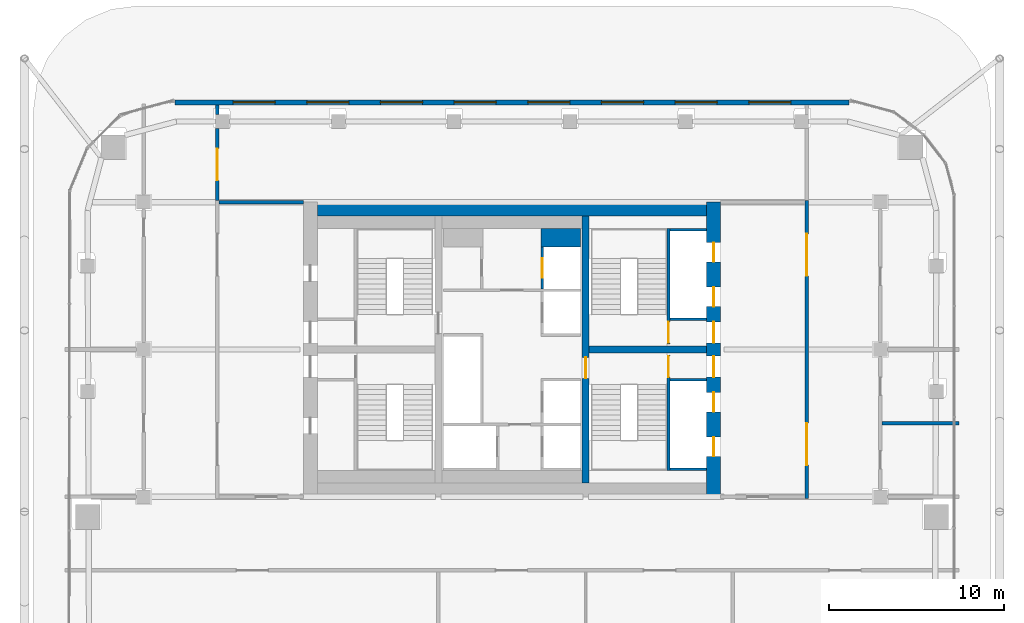
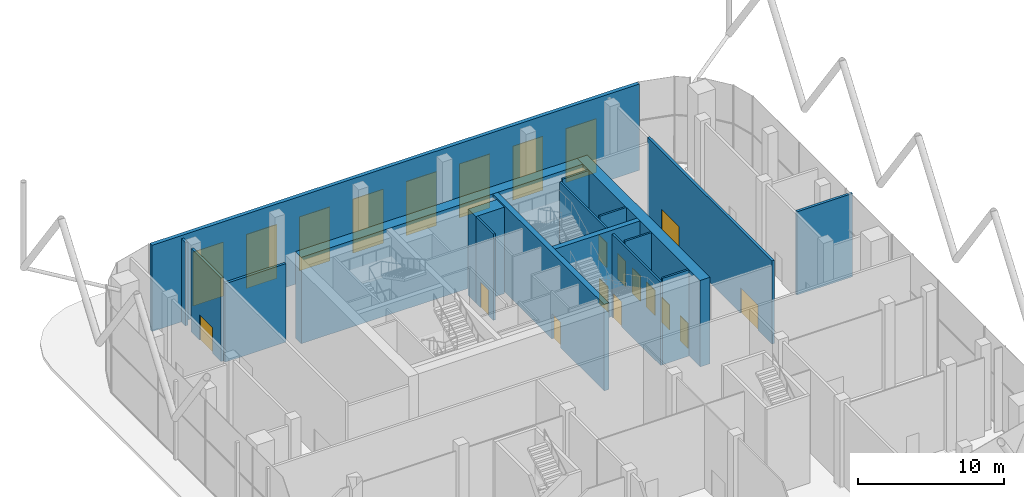
# One storey, part 21 of 25: 18 walls, 13 doors, 8 windows, 21 openings.
"""IFC4 building model written with IfcOpenShell, lengths in metres."""

from ifc_helpers import new_model, si_unit, direction, frame, frame_2d, origin, place, context, subcontext, project, spatial, rectangle, extrude, material, layer, layer_set, type_object, element, fill, save


model = new_model("IFC4")

# Units and contexts
model_context = context("Model", 3, precision=1e-05, world=origin(), true_north=direction((0.0, 1.0)))
body_context = subcontext(model_context, "Body", "Model", "MODEL_VIEW")
ifc_project = project(units=[si_unit("LENGTHUNIT", "METRE"), si_unit("AREAUNIT", "SQUARE_METRE"), si_unit("VOLUMEUNIT", "CUBIC_METRE"), si_unit("PLANEANGLEUNIT", "RADIAN"), si_unit("MASSUNIT", "GRAM", prefix="KILO")], contexts=[model_context])

# Site, building, storey
site_placement = place(None, origin())
site = spatial("IfcSite", under=ifc_project, at=site_placement, CompositionType="ELEMENT")
building_placement = place(site_placement, origin())
building = spatial("IfcBuilding", under=site, at=building_placement, Name="Marenta Gate Hotel Tower", CompositionType="ELEMENT")
storey_placement = place(building_placement, frame((0.0, 0.0, 180.5)))
storey = spatial("IfcBuildingStorey", under=building, at=storey_placement, Name="L41", CompositionType="ELEMENT", Elevation=180.5)

# Wall, openings, windows
ifc_material_1 = material(Name="Concrete C40 board-marked", Category="concrete")
ifc_layer_1 = layer(ifc_material_1, 0.300048828125)
ifc_layer_set_1 = layer_set([ifc_layer_1], Name="Concrete C40 board-marked")
wall_type_1 = type_object("IfcWallType", Name="Board-marked concrete wall 300 mm", PredefinedType="NOTDEFINED", material=ifc_layer_set_1)
wall_1_placement = place(storey_placement, frame((19.205810546875, 22.489990234375, 0.0), z_axis=(0.0, 0.0, 1.0), x_axis=(-1.0, 0.0, 0.0)))
wall_1 = element("IfcWall", 1, at=wall_1_placement, inside=storey, type_object=wall_type_1, Name="L41-CLD-N00", PredefinedType="NOTDEFINED", context=body_context, shape_type="SweptSolid", body=[
    extrude(rectangle(XDim=38.41162109375, YDim=0.300048828125, at=frame_2d((19.205810546875, 0.0))), origin(), (0.0, 0.0, 1.0), 7.199951171875),
])
opening_1_placement = place(wall_1_placement, frame((3.305908203125, 0.0, 0.89990234375)))
opening_1 = element("IfcOpeningElement", 2, at=opening_1_placement, cuts=wall_1, Name="Opening W4", PredefinedType="OPENING", context=body_context, shape_type="SweptSolid", body=[
    extrude(rectangle(XDim=2.39990234375, YDim=4.5, at=frame_2d((1.199951171875, 2.25))), frame((0.0, 0.14990234375, 0.0), z_axis=(0.0, -1.0, 0.0), x_axis=(1.0, 0.0, 0.0)), (0.0, 0.0, 1.0), 0.300048828125),
])
opening_2_placement = place(wall_1_placement, frame((7.505859375, 0.0, 0.89990234375)))
opening_2 = element("IfcOpeningElement", 3, at=opening_2_placement, cuts=wall_1, Name="Opening W4", PredefinedType="OPENING", context=body_context, shape_type="SweptSolid", body=[
    extrude(rectangle(XDim=2.39990234375, YDim=4.5, at=frame_2d((1.199951171875, 2.25))), frame((0.0, 0.14990234375, 0.0), z_axis=(0.0, -1.0, 0.0), x_axis=(1.0, 0.0, 0.0)), (0.0, 0.0, 1.0), 0.300048828125),
])
opening_3_placement = place(wall_1_placement, frame((11.705810546875, 0.0, 0.89990234375)))
opening_3 = element("IfcOpeningElement", 4, at=opening_3_placement, cuts=wall_1, Name="Opening W4", PredefinedType="OPENING", context=body_context, shape_type="SweptSolid", body=[
    extrude(rectangle(XDim=2.39990234375, YDim=4.5, at=frame_2d((1.199951171875, 2.25))), frame((0.0, 0.14990234375, 0.0), z_axis=(0.0, -1.0, 0.0), x_axis=(1.0, 0.0, 0.0)), (0.0, 0.0, 1.0), 0.300048828125),
])
opening_4_placement = place(wall_1_placement, frame((15.906005859375, 0.0, 0.89990234375)))
opening_4 = element("IfcOpeningElement", 5, at=opening_4_placement, cuts=wall_1, Name="Opening W4", PredefinedType="OPENING", context=body_context, shape_type="SweptSolid", body=[
    extrude(rectangle(XDim=2.39990234375, YDim=4.5, at=frame_2d((1.199951171875, 2.25))), frame((0.0, 0.14990234375, 0.0), z_axis=(0.0, -1.0, 0.0), x_axis=(1.0, 0.0, 0.0)), (0.0, 0.0, 1.0), 0.300048828125),
])
opening_5_placement = place(wall_1_placement, frame((20.10595703125, 0.0, 0.89990234375)))
opening_5 = element("IfcOpeningElement", 6, at=opening_5_placement, cuts=wall_1, Name="Opening W4", PredefinedType="OPENING", context=body_context, shape_type="SweptSolid", body=[
    extrude(rectangle(XDim=2.39990234375, YDim=4.5, at=frame_2d((1.199951171875, 2.25))), frame((0.0, 0.14990234375, 0.0), z_axis=(0.0, -1.0, 0.0), x_axis=(1.0, 0.0, 0.0)), (0.0, 0.0, 1.0), 0.300048828125),
])
opening_6_placement = place(wall_1_placement, frame((24.305908203125, 0.0, 0.89990234375)))
opening_6 = element("IfcOpeningElement", 7, at=opening_6_placement, cuts=wall_1, Name="Opening W4", PredefinedType="OPENING", context=body_context, shape_type="SweptSolid", body=[
    extrude(rectangle(XDim=2.39990234375, YDim=4.5, at=frame_2d((1.199951171875, 2.25))), frame((0.0, 0.14990234375, 0.0), z_axis=(0.0, -1.0, 0.0), x_axis=(1.0, 0.0, 0.0)), (0.0, 0.0, 1.0), 0.300048828125),
])
opening_7_placement = place(wall_1_placement, frame((28.505859375, 0.0, 0.89990234375)))
opening_7 = element("IfcOpeningElement", 8, at=opening_7_placement, cuts=wall_1, Name="Opening W4", PredefinedType="OPENING", context=body_context, shape_type="SweptSolid", body=[
    extrude(rectangle(XDim=2.39990234375, YDim=4.5, at=frame_2d((1.199951171875, 2.25))), frame((0.0, 0.14990234375, 0.0), z_axis=(0.0, -1.0, 0.0), x_axis=(1.0, 0.0, 0.0)), (0.0, 0.0, 1.0), 0.300048828125),
])
opening_8_placement = place(wall_1_placement, frame((32.705810546875, 0.0, 0.89990234375)))
opening_8 = element("IfcOpeningElement", 9, at=opening_8_placement, cuts=wall_1, Name="Opening W4", PredefinedType="OPENING", context=body_context, shape_type="SweptSolid", body=[
    extrude(rectangle(XDim=2.39990234375, YDim=4.5, at=frame_2d((1.199951171875, 2.25))), frame((0.0, 0.14990234375, 0.0), z_axis=(0.0, -1.0, 0.0), x_axis=(1.0, 0.0, 0.0)), (0.0, 0.0, 1.0), 0.300048828125),
])
ifc_material_2 = material(Name="Tinted insulated glass in bronze anodised frame", Category="glass")
window_type = type_object("IfcWindowType", Name="Window W4 2400x4500 bronze frame", PartitioningType="SINGLE_PANEL", PredefinedType="WINDOW", material=ifc_material_2)
window_1_placement = place(opening_1_placement, origin())
window_1 = element("IfcWindow", 10, at=window_1_placement, inside=storey, type_object=window_type, Name="Window W4", OverallHeight=4.5, OverallWidth=2.39990234375, PartitioningType="SINGLE_PANEL", PredefinedType="WINDOW", context=body_context, shape_type="SweptSolid", body=[
    extrude(rectangle(XDim=2.39990234375, YDim=4.5, at=frame_2d((1.199951171875, 2.25))), frame((0.0, 0.030029296875, 0.0), z_axis=(0.0, -1.0, 0.0), x_axis=(1.0, 0.0, 0.0)), (0.0, 0.0, 1.0), 0.06005859375),
])
fill(opening_1, window_1)
window_2_placement = place(opening_2_placement, origin())
window_2 = element("IfcWindow", 11, at=window_2_placement, inside=storey, type_object=window_type, Name="Window W4", OverallHeight=4.5, OverallWidth=2.39990234375, PartitioningType="SINGLE_PANEL", PredefinedType="WINDOW", context=body_context, shape_type="SweptSolid", body=[
    extrude(rectangle(XDim=2.39990234375, YDim=4.5, at=frame_2d((1.199951171875, 2.25))), frame((0.0, 0.030029296875, 0.0), z_axis=(0.0, -1.0, 0.0), x_axis=(1.0, 0.0, 0.0)), (0.0, 0.0, 1.0), 0.06005859375),
])
fill(opening_2, window_2)
window_3_placement = place(opening_3_placement, origin())
window_3 = element("IfcWindow", 12, at=window_3_placement, inside=storey, type_object=window_type, Name="Window W4", OverallHeight=4.5, OverallWidth=2.39990234375, PartitioningType="SINGLE_PANEL", PredefinedType="WINDOW", context=body_context, shape_type="SweptSolid", body=[
    extrude(rectangle(XDim=2.39990234375, YDim=4.5, at=frame_2d((1.199951171875, 2.25))), frame((0.0, 0.030029296875, 0.0), z_axis=(0.0, -1.0, 0.0), x_axis=(1.0, 0.0, 0.0)), (0.0, 0.0, 1.0), 0.06005859375),
])
fill(opening_3, window_3)
window_4_placement = place(opening_4_placement, origin())
window_4 = element("IfcWindow", 13, at=window_4_placement, inside=storey, type_object=window_type, Name="Window W4", OverallHeight=4.5, OverallWidth=2.39990234375, PartitioningType="SINGLE_PANEL", PredefinedType="WINDOW", context=body_context, shape_type="SweptSolid", body=[
    extrude(rectangle(XDim=2.39990234375, YDim=4.5, at=frame_2d((1.199951171875, 2.25))), frame((0.0, 0.030029296875, 0.0), z_axis=(0.0, -1.0, 0.0), x_axis=(1.0, 0.0, 0.0)), (0.0, 0.0, 1.0), 0.06005859375),
])
fill(opening_4, window_4)
window_5_placement = place(opening_5_placement, origin())
window_5 = element("IfcWindow", 14, at=window_5_placement, inside=storey, type_object=window_type, Name="Window W4", OverallHeight=4.5, OverallWidth=2.39990234375, PartitioningType="SINGLE_PANEL", PredefinedType="WINDOW", context=body_context, shape_type="SweptSolid", body=[
    extrude(rectangle(XDim=2.39990234375, YDim=4.5, at=frame_2d((1.199951171875, 2.25))), frame((0.0, 0.030029296875, 0.0), z_axis=(0.0, -1.0, 0.0), x_axis=(1.0, 0.0, 0.0)), (0.0, 0.0, 1.0), 0.06005859375),
])
fill(opening_5, window_5)
window_6_placement = place(opening_6_placement, origin())
window_6 = element("IfcWindow", 15, at=window_6_placement, inside=storey, type_object=window_type, Name="Window W4", OverallHeight=4.5, OverallWidth=2.39990234375, PartitioningType="SINGLE_PANEL", PredefinedType="WINDOW", context=body_context, shape_type="SweptSolid", body=[
    extrude(rectangle(XDim=2.39990234375, YDim=4.5, at=frame_2d((1.199951171875, 2.25))), frame((0.0, 0.030029296875, 0.0), z_axis=(0.0, -1.0, 0.0), x_axis=(1.0, 0.0, 0.0)), (0.0, 0.0, 1.0), 0.06005859375),
])
fill(opening_6, window_6)
window_7_placement = place(opening_7_placement, origin())
window_7 = element("IfcWindow", 16, at=window_7_placement, inside=storey, type_object=window_type, Name="Window W4", OverallHeight=4.5, OverallWidth=2.39990234375, PartitioningType="SINGLE_PANEL", PredefinedType="WINDOW", context=body_context, shape_type="SweptSolid", body=[
    extrude(rectangle(XDim=2.39990234375, YDim=4.5, at=frame_2d((1.199951171875, 2.25))), frame((0.0, 0.030029296875, 0.0), z_axis=(0.0, -1.0, 0.0), x_axis=(1.0, 0.0, 0.0)), (0.0, 0.0, 1.0), 0.06005859375),
])
fill(opening_7, window_7)
window_8_placement = place(opening_8_placement, origin())
window_8 = element("IfcWindow", 17, at=window_8_placement, inside=storey, type_object=window_type, Name="Window W4", OverallHeight=4.5, OverallWidth=2.39990234375, PartitioningType="SINGLE_PANEL", PredefinedType="WINDOW", context=body_context, shape_type="SweptSolid", body=[
    extrude(rectangle(XDim=2.39990234375, YDim=4.5, at=frame_2d((1.199951171875, 2.25))), frame((0.0, 0.030029296875, 0.0), z_axis=(0.0, -1.0, 0.0), x_axis=(1.0, 0.0, 0.0)), (0.0, 0.0, 1.0), 0.06005859375),
])
fill(opening_8, window_8)

# Wall
ifc_material_3 = material(Name="Concrete blockwork", Category="masonry")
ifc_layer_2 = layer(ifc_material_3, 0.199951171875)
ifc_layer_set_2 = layer_set([ifc_layer_2], Name="Concrete blockwork")
wall_type_2 = type_object("IfcWallType", Name="Core boundary wall 200 REI 180", PredefinedType="PARTITIONING", material=ifc_layer_set_2)
wall_2_placement = place(storey_placement, frame((-16.699951171875, 16.800048828125, 0.0), z_axis=(0.0, 0.0, 1.0), x_axis=(1.0, 0.0, 0.0)))
element("IfcWall", 18, at=wall_2_placement, inside=storey, type_object=wall_type_2, Name="L41-CP-EW-WN", PredefinedType="PARTITIONING", context=body_context, shape_type="SweptSolid", body=[
    extrude(rectangle(XDim=4.800048828125, YDim=0.199951171875, at=frame_2d((2.39990234375, 0.0))), origin(), (0.0, 0.0, 1.0), 6.5400390625),
])

# Wall, openings, doors
wall_3_placement = place(storey_placement, frame((16.800048828125, -0.10009765625, 0.0), z_axis=(0.0, 0.0, 1.0), x_axis=(0.0, 1.0, 0.0)))
wall_3 = element("IfcWall", 19, at=wall_3_placement, inside=storey, type_object=wall_type_2, Name="L41-CP-BW-E", PredefinedType="PARTITIONING", context=body_context, shape_type="SweptSolid", body=[
    extrude(rectangle(XDim=17.0, YDim=0.199951171875, at=frame_2d((8.5, 0.0))), origin(), (0.0, 0.0, 1.0), 6.93994140625),
])
opening_9_placement = place(wall_3_placement, frame((1.89990234375, 0.0, 0.0)))
opening_9 = element("IfcOpeningElement", 20, at=opening_9_placement, cuts=wall_3, Name="Opening ED-Ea-A", PredefinedType="OPENING", context=body_context, shape_type="SweptSolid", body=[
    extrude(rectangle(XDim=2.39990234375, YDim=2.10009765625, at=frame_2d((1.199951171875, 1.050048828125))), frame((0.0, 0.10009765625, 0.0), z_axis=(0.0, -1.0, 0.0), x_axis=(1.0, 0.0, 0.0)), (0.0, 0.0, 1.0), 0.199951171875),
])
opening_10_placement = place(wall_3_placement, frame((12.699951171875, 0.0, 0.0)))
opening_10 = element("IfcOpeningElement", 21, at=opening_10_placement, cuts=wall_3, Name="Opening ED-Eb-A", PredefinedType="OPENING", context=body_context, shape_type="SweptSolid", body=[
    extrude(rectangle(XDim=2.39990234375, YDim=2.10009765625, at=frame_2d((1.199951171875, 1.050048828125))), frame((0.0, 0.10009765625, 0.0), z_axis=(0.0, -1.0, 0.0), x_axis=(1.0, 0.0, 0.0)), (0.0, 0.0, 1.0), 0.199951171875),
])
ifc_material_4 = material(Name="Steel", Category="steel")
door_type_1 = type_object("IfcDoorType", Name="Core lobby entrance door 2400x2100 EI 60", OperationType="DOUBLE_DOOR_SINGLE_SWING", PredefinedType="DOOR", material=ifc_material_4)
door_1_placement = place(opening_9_placement, origin())
door_1 = element("IfcDoor", 22, at=door_1_placement, inside=storey, type_object=door_type_1, Name="ED-Ea-A", OperationType="DOUBLE_DOOR_SINGLE_SWING", OverallHeight=2.10009765625, OverallWidth=2.39990234375, PredefinedType="DOOR", context=body_context, shape_type="SweptSolid", body=[
    extrude(rectangle(XDim=2.39990234375, YDim=2.10009765625, at=frame_2d((1.199951171875, 1.050048828125))), frame((0.0, 0.02490234375, 0.0), z_axis=(0.0, -1.0, 0.0), x_axis=(1.0, 0.0, 0.0)), (0.0, 0.0, 1.0), 0.050048828125),
])
fill(opening_9, door_1)
door_2_placement = place(opening_10_placement, origin())
door_2 = element("IfcDoor", 23, at=door_2_placement, inside=storey, type_object=door_type_1, Name="ED-Eb-A", OperationType="DOUBLE_DOOR_SINGLE_SWING", OverallHeight=2.10009765625, OverallWidth=2.39990234375, PredefinedType="DOOR", context=body_context, shape_type="SweptSolid", body=[
    extrude(rectangle(XDim=2.39990234375, YDim=2.10009765625, at=frame_2d((1.199951171875, 1.050048828125))), frame((0.0, 0.02490234375, 0.0), z_axis=(0.0, -1.0, 0.0), x_axis=(1.0, 0.0, 0.0)), (0.0, 0.0, 1.0), 0.050048828125),
])
fill(opening_10, door_2)

# Walls
ifc_material_5 = material(Name="Concrete C40", Category="concrete")
ifc_layer_3 = layer(ifc_material_5, 1.050048828125)
ifc_layer_set_3 = layer_set([ifc_layer_3], Name="Concrete C40")
wall_type_3 = type_object("IfcWallType", Name="Core shaft wall 1050 REI 180", PredefinedType="SHEAR", material=ifc_layer_set_3)
wall_4_placement = place(storey_placement, frame((1.64990234375, 14.77490234375, 0.0), z_axis=(0.0, 0.0, 1.0), x_axis=(1.0, 0.0, 0.0)))
element("IfcWall", 24, at=wall_4_placement, inside=storey, type_object=wall_type_3, Name="L41-SHF-CE-N-top", PredefinedType="SHEAR", context=body_context, shape_type="SweptSolid", body=[
    extrude(rectangle(XDim=2.25, YDim=1.050048828125, at=frame_2d((1.125, 0.0))), origin(), (0.0, 0.0, 1.0), 7.199951171875),
])
ifc_material_6 = material(Name="Concrete C40", Category="concrete")
ifc_layer_4 = layer(ifc_material_6, 0.14990234375)
ifc_layer_set_4 = layer_set([ifc_layer_4], Name="Concrete C40")
wall_type_4 = type_object("IfcWallType", Name="Core shaft wall 150 REI 180", PredefinedType="SHEAR", material=ifc_layer_set_4)
for number, where, z_axis, x_axis, name in (
    (25, (9.0, 6.675048828125, 0.0), (0.0, 0.0, 1.0), (1.0, 0.0, 0.0), "L41-SHF-SW-ES-2"),
    (26, (9.0, 1.574951171875, 0.0), (0.0, 0.0, 1.0), (1.0, 0.0, 0.0), "L41-SHF-SW-ES-5"),
    (27, (9.0, 10.125, 0.0), (0.0, 0.0, 1.0), (1.0, 0.0, 0.0), "L41-SHF-SW-EN-2"),
    (28, (9.0, 15.22509765625, 0.0), (0.0, 0.0, 1.0), (1.0, 0.0, 0.0), "L41-SHF-SW-EN-5"),
):
    element("IfcWall", number, at=place(storey_placement, frame(where, z_axis=z_axis, x_axis=x_axis)), inside=storey, type_object=wall_type_4, Name=name, PredefinedType="SHEAR", context=body_context, shape_type="SweptSolid", body=[
        extrude(rectangle(XDim=2.10009765625, YDim=0.14990234375, at=frame_2d((1.050048828125, 0.0))), origin(), (0.0, 0.0, 1.0), 7.199951171875),
    ])

# Wall, opening, door
wall_5_placement = place(storey_placement, frame((1.72509765625, 11.85009765625, 0.0), z_axis=(0.0, 0.0, 1.0), x_axis=(0.0, 1.0, 0.0)))
wall_5 = element("IfcWall", 29, at=wall_5_placement, inside=storey, type_object=wall_type_4, Name="L41-SHF-CE-N-front2", PredefinedType="SHEAR", context=body_context, shape_type="SweptSolid", body=[
    extrude(rectangle(XDim=2.39990234375, YDim=0.14990234375, at=frame_2d((1.199951171875, 0.0))), origin(), (0.0, 0.0, 1.0), 7.199951171875),
])
opening_11_placement = place(wall_5_placement, frame((0.64990234375, 0.0, 0.0)))
opening_11 = element("IfcOpeningElement", 30, at=opening_11_placement, cuts=wall_5, Name="Opening LD-FF2", PredefinedType="OPENING", context=body_context, shape_type="SweptSolid", body=[
    extrude(rectangle(XDim=1.10009765625, YDim=2.10009765625, at=frame_2d((0.550048828125, 1.050048828125))), frame((0.0, 0.074951171875, 0.0), z_axis=(0.0, -1.0, 0.0), x_axis=(1.0, 0.0, 0.0)), (0.0, 0.0, 1.0), 0.14990234375),
])
ifc_material_7 = material(Name="Steel", Category="steel")
door_type_2 = type_object("IfcDoorType", Name="Core lift landing door 1100x2100 E 60", OperationType="SLIDING_TO_LEFT", PredefinedType="DOOR", material=ifc_material_7)
door_3_placement = place(opening_11_placement, origin())
door_3 = element("IfcDoor", 31, at=door_3_placement, inside=storey, type_object=door_type_2, Name="LD-FF2", OperationType="SLIDING_TO_LEFT", OverallHeight=2.10009765625, OverallWidth=1.10009765625, PredefinedType="DOOR", context=body_context, shape_type="SweptSolid", body=[
    extrude(rectangle(XDim=1.10009765625, YDim=2.10009765625, at=frame_2d((0.550048828125, 1.050048828125))), frame((0.0, 0.02490234375, 0.0), z_axis=(0.0, -1.0, 0.0), x_axis=(1.0, 0.0, 0.0)), (0.0, 0.0, 1.0), 0.050048828125),
])
fill(opening_11, door_3)

ifc_material_8 = material(Name="Concrete C40", Category="concrete")
ifc_layer_5 = layer(ifc_material_8, 0.14990234375)
ifc_layer_set_5 = layer_set([ifc_layer_5], Name="Concrete C40")
wall_type_5 = type_object("IfcWallType", Name="Core stair enclosure wall 150 REI 180", PredefinedType="SHEAR", material=ifc_layer_set_5)
wall_6_placement = place(storey_placement, frame((8.925048828125, 1.5, 0.0), z_axis=(0.0, 0.0, 1.0), x_axis=(0.0, 1.0, 0.0)))
wall_6 = element("IfcWall", 32, at=wall_6_placement, inside=storey, type_object=wall_type_5, Name="L41-SHF-SW-ES-3", PredefinedType="SHEAR", context=body_context, shape_type="SweptSolid", body=[
    extrude(rectangle(XDim=6.60009765625, YDim=0.14990234375, at=frame_2d((3.300048828125, 0.0))), origin(), (0.0, 0.0, 1.0), 6.93994140625),
])
opening_12_placement = place(wall_6_placement, frame((5.324951171875, 0.0, 0.0)))
opening_12 = element("IfcOpeningElement", 33, at=opening_12_placement, cuts=wall_6, Name="Opening SD-ES", PredefinedType="OPENING", context=body_context, shape_type="SweptSolid", body=[
    extrude(rectangle(XDim=1.199951171875, YDim=2.10009765625, at=frame_2d((0.60009765625, 1.050048828125))), frame((0.0, 0.074951171875, 0.0), z_axis=(0.0, -1.0, 0.0), x_axis=(1.0, 0.0, 0.0)), (0.0, 0.0, 1.0), 0.14990234375),
])
ifc_material_9 = material(Name="Steel", Category="steel")
door_type_3 = type_object("IfcDoorType", Name="Core stair door 1200x2100 FD60", OperationType="SINGLE_SWING_LEFT", PredefinedType="DOOR", material=ifc_material_9)
door_4_placement = place(opening_12_placement, origin())
door_4 = element("IfcDoor", 34, at=door_4_placement, inside=storey, type_object=door_type_3, Name="SD-ES", OperationType="SINGLE_SWING_LEFT", OverallHeight=2.10009765625, OverallWidth=1.199951171875, PredefinedType="DOOR", context=body_context, shape_type="SweptSolid", body=[
    extrude(rectangle(XDim=1.199951171875, YDim=2.10009765625, at=frame_2d((0.60009765625, 1.050048828125))), frame((0.0, 0.02490234375, 0.0), z_axis=(0.0, -1.0, 0.0), x_axis=(1.0, 0.0, 0.0)), (0.0, 0.0, 1.0), 0.050048828125),
])
fill(opening_12, door_4)

wall_7_placement = place(storey_placement, frame((8.925048828125, 8.699951171875, 0.0), z_axis=(0.0, 0.0, 1.0), x_axis=(0.0, 1.0, 0.0)))
wall_7 = element("IfcWall", 35, at=wall_7_placement, inside=storey, type_object=wall_type_5, Name="L41-SHF-SW-EN-3", PredefinedType="SHEAR", context=body_context, shape_type="SweptSolid", body=[
    extrude(rectangle(XDim=6.60009765625, YDim=0.14990234375, at=frame_2d((3.300048828125, 0.0))), origin(), (0.0, 0.0, 1.0), 6.93994140625),
])
opening_13_placement = place(wall_7_placement, frame((0.074951171875, 0.0, 0.0)))
opening_13 = element("IfcOpeningElement", 36, at=opening_13_placement, cuts=wall_7, Name="Opening SD-EN", PredefinedType="OPENING", context=body_context, shape_type="SweptSolid", body=[
    extrude(rectangle(XDim=1.199951171875, YDim=2.10009765625, at=frame_2d((0.60009765625, 1.050048828125))), frame((0.0, 0.074951171875, 0.0), z_axis=(0.0, -1.0, 0.0), x_axis=(1.0, 0.0, 0.0)), (0.0, 0.0, 1.0), 0.14990234375),
])
door_5_placement = place(opening_13_placement, origin())
door_5 = element("IfcDoor", 37, at=door_5_placement, inside=storey, type_object=door_type_3, Name="SD-EN", OperationType="SINGLE_SWING_LEFT", OverallHeight=2.10009765625, OverallWidth=1.199951171875, PredefinedType="DOOR", context=body_context, shape_type="SweptSolid", body=[
    extrude(rectangle(XDim=1.199951171875, YDim=2.10009765625, at=frame_2d((0.60009765625, 1.050048828125))), frame((0.0, 0.02490234375, 0.0), z_axis=(0.0, -1.0, 0.0), x_axis=(1.0, 0.0, 0.0)), (0.0, 0.0, 1.0), 0.050048828125),
])
fill(opening_13, door_5)

# Wall, openings, doors
ifc_material_10 = material(Name="Concrete C60", Category="concrete")
ifc_layer_6 = layer(ifc_material_10, 0.800048828125)
ifc_layer_set_6 = layer_set([ifc_layer_6], Name="Concrete C60")
wall_type_6 = type_object("IfcWallType", Name="Core wall 800 C60", PredefinedType="SHEAR", material=ifc_layer_set_6)
wall_8_placement = place(storey_placement, frame((11.5, 0.0, 0.0), z_axis=(0.0, 0.0, 1.0), x_axis=(0.0, 1.0, 0.0)))
wall_8 = element("IfcWall", 38, at=wall_8_placement, inside=storey, type_object=wall_type_6, Name="L41-CORE-E", PredefinedType="SHEAR", context=body_context, shape_type="SweptSolid", body=[
    extrude(rectangle(XDim=16.800048828125, YDim=0.800048828125, at=frame_2d((8.39990234375, 0.0))), origin(), (0.0, 0.0, 1.0), 7.199951171875),
])
opening_14_placement = place(wall_8_placement, frame((2.300048828125, 0.0, 0.0)))
opening_14 = element("IfcOpeningElement", 39, at=opening_14_placement, cuts=wall_8, Name="Opening LD-HR1", PredefinedType="OPENING", context=body_context, shape_type="SweptSolid", body=[
    extrude(rectangle(XDim=1.10009765625, YDim=2.10009765625, at=frame_2d((0.550048828125, 1.050048828125))), frame((0.0, 0.39990234375, 0.0), z_axis=(0.0, -1.0, 0.0), x_axis=(1.0, 0.0, 0.0)), (0.0, 0.0, 1.0), 0.800048828125),
])
opening_15_placement = place(wall_8_placement, frame((4.85009765625, 0.0, 0.0)))
opening_15 = element("IfcOpeningElement", 40, at=opening_15_placement, cuts=wall_8, Name="Opening LD-HR2", PredefinedType="OPENING", context=body_context, shape_type="SweptSolid", body=[
    extrude(rectangle(XDim=1.10009765625, YDim=2.10009765625, at=frame_2d((0.550048828125, 1.050048828125))), frame((0.0, 0.39990234375, 0.0), z_axis=(0.0, -1.0, 0.0), x_axis=(1.0, 0.0, 0.0)), (0.0, 0.0, 1.0), 0.800048828125),
])
opening_16_placement = place(wall_8_placement, frame((6.824951171875, 0.0, 0.0)))
opening_16 = element("IfcOpeningElement", 41, at=opening_16_placement, cuts=wall_8, Name="Opening PD-ES", PredefinedType="OPENING", context=body_context, shape_type="SweptSolid", body=[
    extrude(rectangle(XDim=1.199951171875, YDim=2.10009765625, at=frame_2d((0.60009765625, 1.050048828125))), frame((0.0, 0.39990234375, 0.0), z_axis=(0.0, -1.0, 0.0), x_axis=(1.0, 0.0, 0.0)), (0.0, 0.0, 1.0), 0.800048828125),
])
opening_17_placement = place(wall_8_placement, frame((13.39990234375, 0.0, 0.0)))
opening_17 = element("IfcOpeningElement", 42, at=opening_17_placement, cuts=wall_8, Name="Opening LD-HR4", PredefinedType="OPENING", context=body_context, shape_type="SweptSolid", body=[
    extrude(rectangle(XDim=1.10009765625, YDim=2.10009765625, at=frame_2d((0.550048828125, 1.050048828125))), frame((0.0, 0.39990234375, 0.0), z_axis=(0.0, -1.0, 0.0), x_axis=(1.0, 0.0, 0.0)), (0.0, 0.0, 1.0), 0.800048828125),
])
opening_18_placement = place(wall_8_placement, frame((10.85009765625, 0.0, 0.0)))
opening_18 = element("IfcOpeningElement", 43, at=opening_18_placement, cuts=wall_8, Name="Opening LD-HR3", PredefinedType="OPENING", context=body_context, shape_type="SweptSolid", body=[
    extrude(rectangle(XDim=1.10009765625, YDim=2.10009765625, at=frame_2d((0.550048828125, 1.050048828125))), frame((0.0, 0.39990234375, 0.0), z_axis=(0.0, -1.0, 0.0), x_axis=(1.0, 0.0, 0.0)), (0.0, 0.0, 1.0), 0.800048828125),
])
opening_19_placement = place(wall_8_placement, frame((8.77490234375, 0.0, 0.0)))
opening_19 = element("IfcOpeningElement", 44, at=opening_19_placement, cuts=wall_8, Name="Opening PD-EN", PredefinedType="OPENING", context=body_context, shape_type="SweptSolid", body=[
    extrude(rectangle(XDim=1.199951171875, YDim=2.10009765625, at=frame_2d((0.60009765625, 1.050048828125))), frame((0.0, 0.39990234375, 0.0), z_axis=(0.0, -1.0, 0.0), x_axis=(1.0, 0.0, 0.0)), (0.0, 0.0, 1.0), 0.800048828125),
])
door_6_placement = place(opening_14_placement, origin())
door_6 = element("IfcDoor", 45, at=door_6_placement, inside=storey, type_object=door_type_2, Name="LD-HR1", OperationType="SLIDING_TO_LEFT", OverallHeight=2.10009765625, OverallWidth=1.10009765625, PredefinedType="DOOR", context=body_context, shape_type="SweptSolid", body=[
    extrude(rectangle(XDim=1.10009765625, YDim=2.10009765625, at=frame_2d((0.550048828125, 1.050048828125))), frame((0.0, 0.02490234375, 0.0), z_axis=(0.0, -1.0, 0.0), x_axis=(1.0, 0.0, 0.0)), (0.0, 0.0, 1.0), 0.050048828125),
])
fill(opening_14, door_6)
door_7_placement = place(opening_15_placement, origin())
door_7 = element("IfcDoor", 46, at=door_7_placement, inside=storey, type_object=door_type_2, Name="LD-HR2", OperationType="SLIDING_TO_LEFT", OverallHeight=2.10009765625, OverallWidth=1.10009765625, PredefinedType="DOOR", context=body_context, shape_type="SweptSolid", body=[
    extrude(rectangle(XDim=1.10009765625, YDim=2.10009765625, at=frame_2d((0.550048828125, 1.050048828125))), frame((0.0, 0.02490234375, 0.0), z_axis=(0.0, -1.0, 0.0), x_axis=(1.0, 0.0, 0.0)), (0.0, 0.0, 1.0), 0.050048828125),
])
fill(opening_15, door_7)
door_8_placement = place(opening_17_placement, origin())
door_8 = element("IfcDoor", 47, at=door_8_placement, inside=storey, type_object=door_type_2, Name="LD-HR4", OperationType="SLIDING_TO_LEFT", OverallHeight=2.10009765625, OverallWidth=1.10009765625, PredefinedType="DOOR", context=body_context, shape_type="SweptSolid", body=[
    extrude(rectangle(XDim=1.10009765625, YDim=2.10009765625, at=frame_2d((0.550048828125, 1.050048828125))), frame((0.0, 0.02490234375, 0.0), z_axis=(0.0, -1.0, 0.0), x_axis=(1.0, 0.0, 0.0)), (0.0, 0.0, 1.0), 0.050048828125),
])
fill(opening_17, door_8)
door_9_placement = place(opening_18_placement, origin())
door_9 = element("IfcDoor", 48, at=door_9_placement, inside=storey, type_object=door_type_2, Name="LD-HR3", OperationType="SLIDING_TO_LEFT", OverallHeight=2.10009765625, OverallWidth=1.10009765625, PredefinedType="DOOR", context=body_context, shape_type="SweptSolid", body=[
    extrude(rectangle(XDim=1.10009765625, YDim=2.10009765625, at=frame_2d((0.550048828125, 1.050048828125))), frame((0.0, 0.02490234375, 0.0), z_axis=(0.0, -1.0, 0.0), x_axis=(1.0, 0.0, 0.0)), (0.0, 0.0, 1.0), 0.050048828125),
])
fill(opening_18, door_9)
ifc_material_11 = material(Name="Steel", Category="steel")
door_type_4 = type_object("IfcDoorType", Name="Core lobby door 1200x2100 FD60", OperationType="SINGLE_SWING_LEFT", PredefinedType="DOOR", material=ifc_material_11)
door_10_placement = place(opening_16_placement, origin())
door_10 = element("IfcDoor", 49, at=door_10_placement, inside=storey, type_object=door_type_4, Name="PD-ES", OperationType="SINGLE_SWING_LEFT", OverallHeight=2.10009765625, OverallWidth=1.199951171875, PredefinedType="DOOR", context=body_context, shape_type="SweptSolid", body=[
    extrude(rectangle(XDim=1.199951171875, YDim=2.10009765625, at=frame_2d((0.60009765625, 1.050048828125))), frame((0.0, 0.02490234375, 0.0), z_axis=(0.0, -1.0, 0.0), x_axis=(1.0, 0.0, 0.0)), (0.0, 0.0, 1.0), 0.050048828125),
])
fill(opening_16, door_10)
door_11_placement = place(opening_19_placement, origin())
door_11 = element("IfcDoor", 50, at=door_11_placement, inside=storey, type_object=door_type_4, Name="PD-EN", OperationType="SINGLE_SWING_LEFT", OverallHeight=2.10009765625, OverallWidth=1.199951171875, PredefinedType="DOOR", context=body_context, shape_type="SweptSolid", body=[
    extrude(rectangle(XDim=1.199951171875, YDim=2.10009765625, at=frame_2d((0.60009765625, 1.050048828125))), frame((0.0, 0.02490234375, 0.0), z_axis=(0.0, -1.0, 0.0), x_axis=(1.0, 0.0, 0.0)), (0.0, 0.0, 1.0), 0.050048828125),
])
fill(opening_19, door_11)

# Wall
wall_9_placement = place(storey_placement, frame((-11.10009765625, 16.39990234375, 0.0), z_axis=(0.0, 0.0, 1.0), x_axis=(1.0, 0.0, 0.0)))
element("IfcWall", 51, at=wall_9_placement, inside=storey, type_object=wall_type_6, Name="L41-CORE-N", PredefinedType="SHEAR", context=body_context, shape_type="SweptSolid", body=[
    extrude(rectangle(XDim=22.2001953125, YDim=0.800048828125, at=frame_2d((11.10009765625, 0.0))), origin(), (0.0, 0.0, 1.0), 7.199951171875),
])

# Wall, opening, door
ifc_material_12 = material(Name="Concrete C60", Category="concrete")
ifc_layer_7 = layer(ifc_material_12, 0.39990234375)
ifc_layer_set_7 = layer_set([ifc_layer_7], Name="Concrete C60")
wall_type_7 = type_object("IfcWallType", Name="Core web 400 C60", PredefinedType="SHEAR", material=ifc_layer_set_7)
wall_10_placement = place(storey_placement, frame((4.199951171875, 0.800048828125, 0.0), z_axis=(0.0, 0.0, 1.0), x_axis=(0.0, 1.0, 0.0)))
wall_10 = element("IfcWall", 52, at=wall_10_placement, inside=storey, type_object=wall_type_7, Name="L41-CORE-W2", PredefinedType="SHEAR", context=body_context, shape_type="SweptSolid", body=[
    extrude(rectangle(XDim=15.199951171875, YDim=0.39990234375, at=frame_2d((7.60009765625, 0.0))), origin(), (0.0, 0.0, 1.0), 7.199951171875),
])
opening_20_placement = place(wall_10_placement, frame((5.949951171875, 0.0, 0.0)))
opening_20 = element("IfcOpeningElement", 53, at=opening_20_placement, cuts=wall_10, Name="Opening WD-E", PredefinedType="OPENING", context=body_context, shape_type="SweptSolid", body=[
    extrude(rectangle(XDim=1.199951171875, YDim=2.10009765625, at=frame_2d((0.60009765625, 1.050048828125))), frame((0.0, 0.199951171875, 0.0), z_axis=(0.0, -1.0, 0.0), x_axis=(1.0, 0.0, 0.0)), (0.0, 0.0, 1.0), 0.39990234375),
])
door_12_placement = place(opening_20_placement, origin())
door_12 = element("IfcDoor", 54, at=door_12_placement, inside=storey, type_object=door_type_3, Name="WD-E", OperationType="SINGLE_SWING_LEFT", OverallHeight=2.10009765625, OverallWidth=1.199951171875, PredefinedType="DOOR", context=body_context, shape_type="SweptSolid", body=[
    extrude(rectangle(XDim=1.199951171875, YDim=2.10009765625, at=frame_2d((0.60009765625, 1.050048828125))), frame((0.0, 0.02490234375, 0.0), z_axis=(0.0, -1.0, 0.0), x_axis=(1.0, 0.0, 0.0)), (0.0, 0.0, 1.0), 0.050048828125),
])
fill(opening_20, door_12)

# Wall
wall_11_placement = place(storey_placement, frame((4.39990234375, 8.39990234375, 0.0), z_axis=(0.0, 0.0, 1.0), x_axis=(1.0, 0.0, 0.0)))
element("IfcWall", 55, at=wall_11_placement, inside=storey, type_object=wall_type_7, Name="L41-CORE-W4", PredefinedType="SHEAR", context=body_context, shape_type="SweptSolid", body=[
    extrude(rectangle(XDim=6.7001953125, YDim=0.39990234375, at=frame_2d((3.35009765625, 0.0))), origin(), (0.0, 0.0, 1.0), 7.199951171875),
])

# Wall, opening, door
ifc_material_13 = material(Name="Gypsum board on steel stud", Category="steel")
ifc_layer_8 = layer(ifc_material_13, 0.199951171875)
ifc_layer_set_8 = layer_set([ifc_layer_8], Name="Gypsum board on steel stud")
wall_type_8 = type_object("IfcWallType", Name="Room corridor wall 200 EI 60", PredefinedType="PARTITIONING", material=ifc_layer_set_8)
wall_12_placement = place(storey_placement, frame((-16.800048828125, 16.89990234375, 0.0), z_axis=(0.0, 0.0, 1.0), x_axis=(0.0, 1.0, 0.0)))
wall_12 = element("IfcWall", 56, at=wall_12_placement, inside=storey, type_object=wall_type_8, Name="L41-PTN-W027", PredefinedType="PARTITIONING", context=body_context, shape_type="SweptSolid", body=[
    extrude(rectangle(XDim=4.10009765625, YDim=0.199951171875, at=frame_2d((2.050048828125, 0.0))), origin(), (0.0, 0.0, 1.0), 6.93994140625),
])
opening_21_placement = place(wall_12_placement, frame((1.14990234375, 0.0, 0.0)))
opening_21 = element("IfcOpeningElement", 57, at=opening_21_placement, cuts=wall_12, Name="Opening S10-06", PredefinedType="OPENING", context=body_context, shape_type="SweptSolid", body=[
    extrude(rectangle(XDim=1.800048828125, YDim=2.10009765625, at=frame_2d((0.89990234375, 1.050048828125))), frame((0.0, 0.10009765625, 0.0), z_axis=(0.0, -1.0, 0.0), x_axis=(1.0, 0.0, 0.0)), (0.0, 0.0, 1.0), 0.199951171875),
])
ifc_material_14 = material(Name="Timber door leaf", Category="wood")
door_type_5 = type_object("IfcDoorType", Name="Room amenity door 1800x2100 EI 30", OperationType="DOUBLE_DOOR_SINGLE_SWING", PredefinedType="DOOR", material=ifc_material_14)
door_13_placement = place(opening_21_placement, origin())
door_13 = element("IfcDoor", 58, at=door_13_placement, inside=storey, type_object=door_type_5, Name="L41-PD-D006", OperationType="DOUBLE_DOOR_SINGLE_SWING", OverallHeight=2.10009765625, OverallWidth=1.800048828125, PredefinedType="DOOR", context=body_context, shape_type="SweptSolid", body=[
    extrude(rectangle(XDim=1.800048828125, YDim=2.10009765625, at=frame_2d((0.89990234375, 1.050048828125))), frame((0.0, 0.02490234375, 0.0), z_axis=(0.0, -1.0, 0.0), x_axis=(1.0, 0.0, 0.0)), (0.0, 0.0, 1.0), 0.050048828125),
])
fill(opening_21, door_13)

# Walls
wall_13_placement = place(storey_placement, frame((-16.800048828125, 21.800048828125, 0.0), z_axis=(0.0, 0.0, 1.0), x_axis=(0.0, 1.0, 0.0)))
element("IfcWall", 59, at=wall_13_placement, inside=storey, type_object=wall_type_8, Name="L41-PTN-W028", PredefinedType="PARTITIONING", context=body_context, shape_type="SweptSolid", body=[
    extrude(rectangle(XDim=0.5400390625, YDim=0.199951171875, at=frame_2d((0.27001953125, 0.0))), origin(), (0.0, 0.0, 1.0), 6.93994140625),
])
ifc_material_15 = material(Name="Gypsum board on steel stud", Category="steel")
ifc_layer_9 = layer(ifc_material_15, 0.199951171875)
ifc_layer_set_9 = layer_set([ifc_layer_9], Name="Gypsum board on steel stud")
wall_type_9 = type_object("IfcWallType", Name="Room party wall 200 EI 60", PredefinedType="PARTITIONING", material=ifc_layer_set_9)
wall_14_placement = place(storey_placement, frame((21.10009765625, 4.199951171875, 0.0), z_axis=(0.0, 0.0, 1.0), x_axis=(1.0, 0.0, 0.0)))
element("IfcWall", 60, at=wall_14_placement, inside=storey, type_object=wall_type_9, Name="L41-PTN-W024", PredefinedType="PARTITIONING", context=body_context, shape_type="SweptSolid", body=[
    extrude(rectangle(XDim=4.39990234375, YDim=0.199951171875, at=frame_2d((2.199951171875, 0.0))), origin(), (0.0, 0.0, 1.0), 6.93994140625),
])

save(model, "model.ifc")
